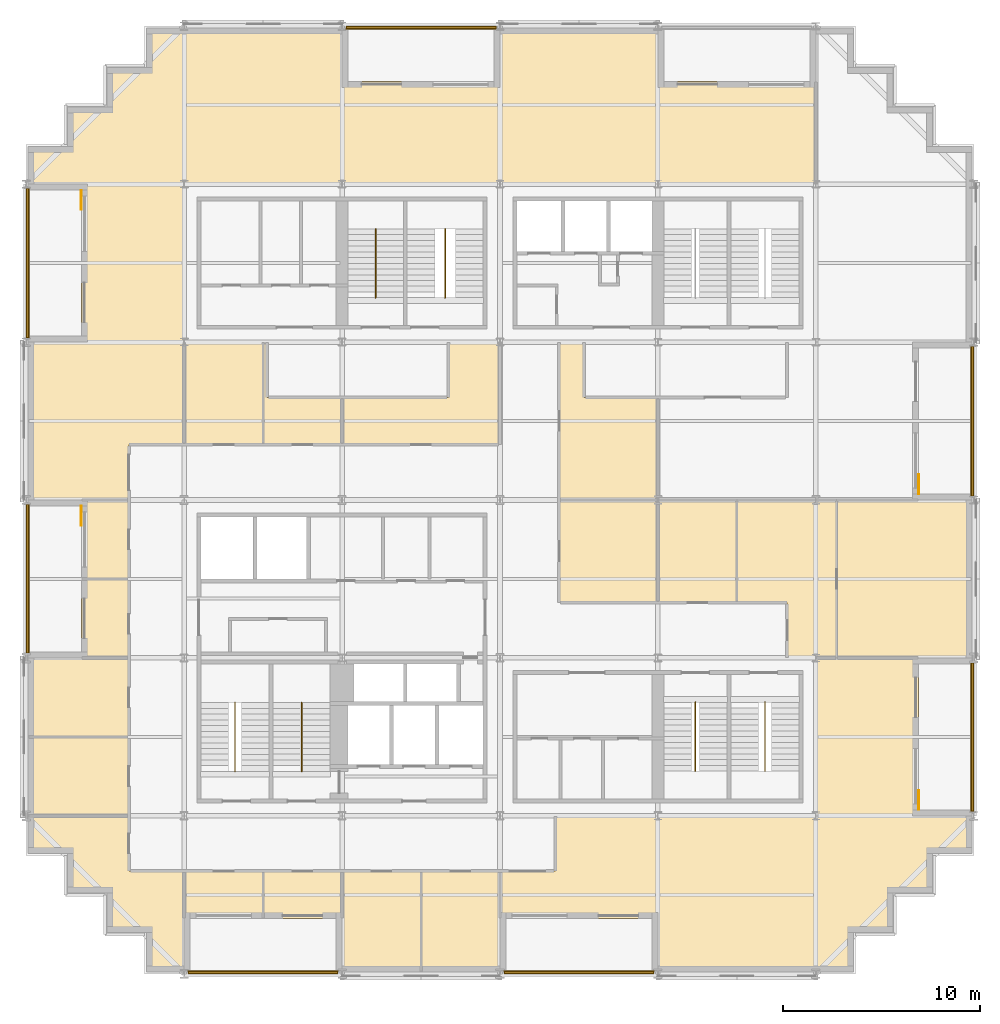
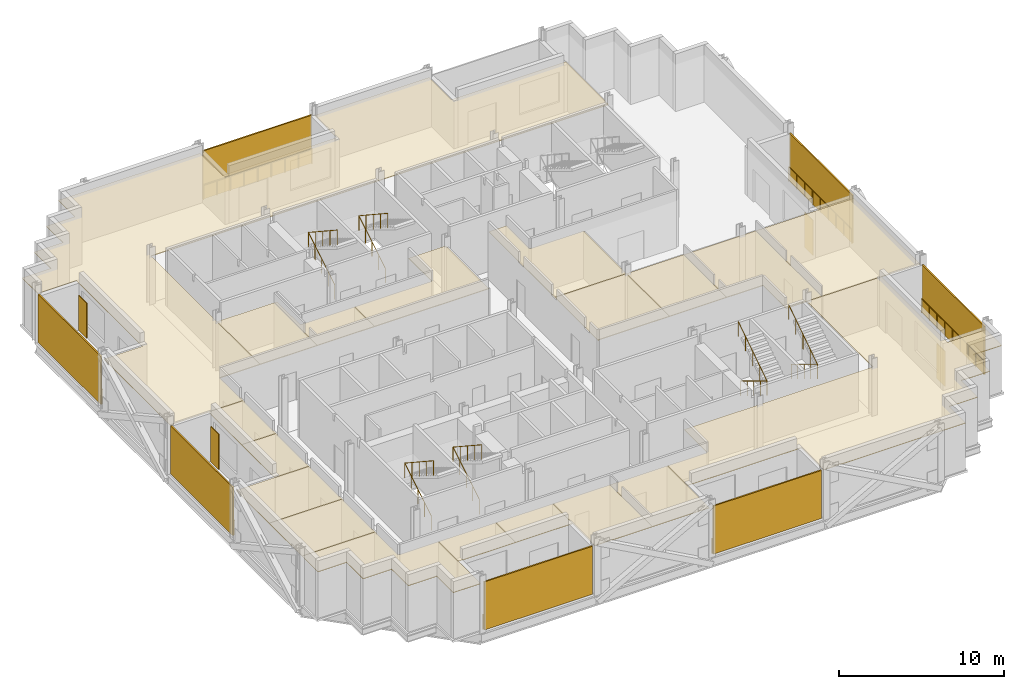
# One storey, part 12 of 13: 19 coverings, 13 railings, 11 shading devices.
"""IFC4 building model written with IfcOpenShell, lengths in metres."""

from ifc_helpers import new_model, si_unit, direction, frame, origin, origin_2d, place, context, subcontext, project, spatial, polyline, rectangle, circle, outline, extrude, material, layer, layer_set, type_object, element, save


model = new_model("IFC4")

# Units and contexts
model_context = context("Model", 3, precision=1e-05, world=origin(), true_north=direction((0.0, 1.0)))
body_context = subcontext(model_context, "Body", "Model", "MODEL_VIEW")
ifc_project = project(units=[si_unit("LENGTHUNIT", "METRE"), si_unit("AREAUNIT", "SQUARE_METRE"), si_unit("VOLUMEUNIT", "CUBIC_METRE"), si_unit("PLANEANGLEUNIT", "RADIAN"), si_unit("MASSUNIT", "GRAM", prefix="KILO")], contexts=[model_context])

# Site, building, storey
site_placement = place(None, origin())
site = spatial("IfcSite", under=ifc_project, at=site_placement, CompositionType="ELEMENT")
building_placement = place(site_placement, origin())
building = spatial("IfcBuilding", under=site, at=building_placement, Name="Immortelle Media Tower", CompositionType="ELEMENT")
storey_placement = place(building_placement, frame((0.0, 0.0, 74.39990234375)))
storey = spatial("IfcBuildingStorey", under=building, at=storey_placement, Name="L13", CompositionType="ELEMENT", Elevation=74.39990234375)

# Railings
ifc_material_1 = material(Name="Powder-coated aluminium fretwork panel, laminated glass backing", Category="aluminium")
railing_type_1 = type_object("IfcRailingType", Name="Fretwork balustrade 1100", PredefinedType="BALUSTRADE", material=ifc_material_1)
railing_1_placement = place(storey_placement, frame((0.139892578125, 39.800537109375, 0.0)))
element("IfcRailing", 1, at=railing_1_placement, inside=storey, type_object=railing_type_1, Name="Fretwork balustrade L13 W0", PredefinedType="BALUSTRADE", context=body_context, shape_type="SweptSolid", body=[
    extrude(circle(Radius=0.02490234375, at=origin_2d()), frame((0.0, 0.0, 1.0751953125), z_axis=(0.0, -1.0, 0.0), x_axis=(1.0, 0.0, 0.0)), (0.0, 0.0, 1.0), 7.58349609375),
    extrude(circle(Radius=0.02001953125, at=origin_2d()), origin(), (0.0, 0.0, 1.0), 1.050048828125),
    extrude(circle(Radius=0.02001953125, at=origin_2d()), frame((0.0, -0.947998046875, 0.0)), (0.0, 0.0, 1.0), 1.050048828125),
    extrude(circle(Radius=0.02001953125, at=origin_2d()), frame((0.0, -1.89599609375, 0.0)), (0.0, 0.0, 1.0), 1.050048828125),
    extrude(circle(Radius=0.02001953125, at=origin_2d()), frame((0.0, -2.84375, 0.0)), (0.0, 0.0, 1.0), 1.050048828125),
    extrude(circle(Radius=0.02001953125, at=origin_2d()), frame((0.0, -3.791748046875, 0.0)), (0.0, 0.0, 1.0), 1.050048828125),
    extrude(circle(Radius=0.02001953125, at=origin_2d()), frame((0.0, -4.73974609375, 0.0)), (0.0, 0.0, 1.0), 1.050048828125),
    extrude(circle(Radius=0.02001953125, at=origin_2d()), frame((0.0, -5.6875, 0.0)), (0.0, 0.0, 1.0), 1.050048828125),
    extrude(circle(Radius=0.02001953125, at=origin_2d()), frame((0.0, -6.635498046875, 0.0)), (0.0, 0.0, 1.0), 1.050048828125),
    extrude(circle(Radius=0.02001953125, at=origin_2d()), frame((0.0, -7.58349609375, 0.0)), (0.0, 0.0, 1.0), 1.050048828125),
])
railing_2_placement = place(storey_placement, frame((0.139892578125, 23.782958984375, 0.0)))
element("IfcRailing", 2, at=railing_2_placement, inside=storey, type_object=railing_type_1, Name="Fretwork balustrade L13 W2", PredefinedType="BALUSTRADE", context=body_context, shape_type="SweptSolid", body=[
    extrude(circle(Radius=0.02490234375, at=origin_2d()), frame((0.0, 0.0, 1.0751953125), z_axis=(0.0, -1.0, 0.0), x_axis=(1.0, 0.0, 0.0)), (0.0, 0.0, 1.0), 7.533935546875),
    extrude(circle(Radius=0.02001953125, at=origin_2d()), origin(), (0.0, 0.0, 1.0), 1.050048828125),
    extrude(circle(Radius=0.02001953125, at=origin_2d()), frame((0.0, -0.941650390625, 0.0)), (0.0, 0.0, 1.0), 1.050048828125),
    extrude(circle(Radius=0.02001953125, at=origin_2d()), frame((0.0, -1.883544921875, 0.0)), (0.0, 0.0, 1.0), 1.050048828125),
    extrude(circle(Radius=0.02001953125, at=origin_2d()), frame((0.0, -2.8251953125, 0.0)), (0.0, 0.0, 1.0), 1.050048828125),
    extrude(circle(Radius=0.02001953125, at=origin_2d()), frame((0.0, -3.76708984375, 0.0)), (0.0, 0.0, 1.0), 1.050048828125),
    extrude(circle(Radius=0.02001953125, at=origin_2d()), frame((0.0, -4.708740234375, 0.0)), (0.0, 0.0, 1.0), 1.050048828125),
    extrude(circle(Radius=0.02001953125, at=origin_2d()), frame((0.0, -5.650390625, 0.0)), (0.0, 0.0, 1.0), 1.050048828125),
    extrude(circle(Radius=0.02001953125, at=origin_2d()), frame((0.0, -6.59228515625, 0.0)), (0.0, 0.0, 1.0), 1.050048828125),
    extrude(circle(Radius=0.02001953125, at=origin_2d()), frame((0.0, -7.533935546875, 0.0)), (0.0, 0.0, 1.0), 1.050048828125),
])
railing_3_placement = place(storey_placement, frame((8.20947265625, 0.139892578125, 0.0)))
element("IfcRailing", 3, at=railing_3_placement, inside=storey, type_object=railing_type_1, Name="Fretwork balustrade L13 S0", PredefinedType="BALUSTRADE", context=body_context, shape_type="SweptSolid", body=[
    extrude(circle(Radius=0.02490234375, at=origin_2d()), frame((0.0, 0.0, 1.0751953125), z_axis=(1.0, 0.0, 0.0), x_axis=(0.0, 1.0, 0.0)), (0.0, 0.0, 1.0), 7.574462890625),
    extrude(circle(Radius=0.02001953125, at=origin_2d()), origin(), (0.0, 0.0, 1.0), 1.050048828125),
    extrude(circle(Radius=0.02001953125, at=origin_2d()), frame((0.94677734375, 0.0, 0.0)), (0.0, 0.0, 1.0), 1.050048828125),
    extrude(circle(Radius=0.02001953125, at=origin_2d()), frame((1.8935546875, 0.0, 0.0)), (0.0, 0.0, 1.0), 1.050048828125),
    extrude(circle(Radius=0.02001953125, at=origin_2d()), frame((2.84033203125, 0.0, 0.0)), (0.0, 0.0, 1.0), 1.050048828125),
    extrude(circle(Radius=0.02001953125, at=origin_2d()), frame((3.787109375, 0.0, 0.0)), (0.0, 0.0, 1.0), 1.050048828125),
    extrude(circle(Radius=0.02001953125, at=origin_2d()), frame((4.734130859375, 0.0, 0.0)), (0.0, 0.0, 1.0), 1.050048828125),
    extrude(circle(Radius=0.02001953125, at=origin_2d()), frame((5.680908203125, 0.0, 0.0)), (0.0, 0.0, 1.0), 1.050048828125),
    extrude(circle(Radius=0.02001953125, at=origin_2d()), frame((6.627685546875, 0.0, 0.0)), (0.0, 0.0, 1.0), 1.050048828125),
    extrude(circle(Radius=0.02001953125, at=origin_2d()), frame((7.574462890625, 0.0, 0.0)), (0.0, 0.0, 1.0), 1.050048828125),
])
railing_4_placement = place(storey_placement, frame((24.216064453125, 0.139892578125, 0.0)))
element("IfcRailing", 4, at=railing_4_placement, inside=storey, type_object=railing_type_1, Name="Fretwork balustrade L13 S2", PredefinedType="BALUSTRADE", context=body_context, shape_type="SweptSolid", body=[
    extrude(circle(Radius=0.02490234375, at=origin_2d()), frame((0.0, 0.0, 1.0751953125), z_axis=(1.0, 0.0, 0.0), x_axis=(0.0, 1.0, 0.0)), (0.0, 0.0, 1.0), 7.56787109375),
    extrude(circle(Radius=0.02001953125, at=origin_2d()), origin(), (0.0, 0.0, 1.0), 1.050048828125),
    extrude(circle(Radius=0.02001953125, at=origin_2d()), frame((0.946044921875, 0.0, 0.0)), (0.0, 0.0, 1.0), 1.050048828125),
    extrude(circle(Radius=0.02001953125, at=origin_2d()), frame((1.89208984375, 0.0, 0.0)), (0.0, 0.0, 1.0), 1.050048828125),
    extrude(circle(Radius=0.02001953125, at=origin_2d()), frame((2.837890625, 0.0, 0.0)), (0.0, 0.0, 1.0), 1.050048828125),
    extrude(circle(Radius=0.02001953125, at=origin_2d()), frame((3.783935546875, 0.0, 0.0)), (0.0, 0.0, 1.0), 1.050048828125),
    extrude(circle(Radius=0.02001953125, at=origin_2d()), frame((4.72998046875, 0.0, 0.0)), (0.0, 0.0, 1.0), 1.050048828125),
    extrude(circle(Radius=0.02001953125, at=origin_2d()), frame((5.67578125, 0.0, 0.0)), (0.0, 0.0, 1.0), 1.050048828125),
    extrude(circle(Radius=0.02001953125, at=origin_2d()), frame((6.621826171875, 0.0, 0.0)), (0.0, 0.0, 1.0), 1.050048828125),
    extrude(circle(Radius=0.02001953125, at=origin_2d()), frame((7.56787109375, 0.0, 0.0)), (0.0, 0.0, 1.0), 1.050048828125),
])
railing_5_placement = place(storey_placement, frame((47.860107421875, 8.2275390625, 0.0)))
element("IfcRailing", 5, at=railing_5_placement, inside=storey, type_object=railing_type_1, Name="Fretwork balustrade L13 E0", PredefinedType="BALUSTRADE", context=body_context, shape_type="SweptSolid", body=[
    extrude(circle(Radius=0.02490234375, at=origin_2d()), frame((0.0, 0.0, 1.0751953125), z_axis=(0.0, 1.0, 0.0), x_axis=(-1.0, 0.0, 0.0)), (0.0, 0.0, 1.0), 7.5234375),
    extrude(circle(Radius=0.02001953125, at=origin_2d()), origin(), (0.0, 0.0, 1.0), 1.050048828125),
    extrude(circle(Radius=0.02001953125, at=origin_2d()), frame((0.0, 0.9404296875, 0.0)), (0.0, 0.0, 1.0), 1.050048828125),
    extrude(circle(Radius=0.02001953125, at=origin_2d()), frame((0.0, 1.880859375, 0.0)), (0.0, 0.0, 1.0), 1.050048828125),
    extrude(circle(Radius=0.02001953125, at=origin_2d()), frame((0.0, 2.8212890625, 0.0)), (0.0, 0.0, 1.0), 1.050048828125),
    extrude(circle(Radius=0.02001953125, at=origin_2d()), frame((0.0, 3.76171875, 0.0)), (0.0, 0.0, 1.0), 1.050048828125),
    extrude(circle(Radius=0.02001953125, at=origin_2d()), frame((0.0, 4.7021484375, 0.0)), (0.0, 0.0, 1.0), 1.050048828125),
    extrude(circle(Radius=0.02001953125, at=origin_2d()), frame((0.0, 5.642578125, 0.0)), (0.0, 0.0, 1.0), 1.050048828125),
    extrude(circle(Radius=0.02001953125, at=origin_2d()), frame((0.0, 6.5830078125, 0.0)), (0.0, 0.0, 1.0), 1.050048828125),
    extrude(circle(Radius=0.02001953125, at=origin_2d()), frame((0.0, 7.5234375, 0.0)), (0.0, 0.0, 1.0), 1.050048828125),
])
railing_6_placement = place(storey_placement, frame((47.860107421875, 24.199462890625, 0.0)))
element("IfcRailing", 6, at=railing_6_placement, inside=storey, type_object=railing_type_1, Name="Fretwork balustrade L13 E2", PredefinedType="BALUSTRADE", context=body_context, shape_type="SweptSolid", body=[
    extrude(circle(Radius=0.02490234375, at=origin_2d()), frame((0.0, 0.0, 1.0751953125), z_axis=(0.0, 1.0, 0.0), x_axis=(-1.0, 0.0, 0.0)), (0.0, 0.0, 1.0), 7.60107421875),
    extrude(circle(Radius=0.02001953125, at=origin_2d()), origin(), (0.0, 0.0, 1.0), 1.050048828125),
    extrude(circle(Radius=0.02001953125, at=origin_2d()), frame((0.0, 0.9501953125, 0.0)), (0.0, 0.0, 1.0), 1.050048828125),
    extrude(circle(Radius=0.02001953125, at=origin_2d()), frame((0.0, 1.900390625, 0.0)), (0.0, 0.0, 1.0), 1.050048828125),
    extrude(circle(Radius=0.02001953125, at=origin_2d()), frame((0.0, 2.850341796875, 0.0)), (0.0, 0.0, 1.0), 1.050048828125),
    extrude(circle(Radius=0.02001953125, at=origin_2d()), frame((0.0, 3.800537109375, 0.0)), (0.0, 0.0, 1.0), 1.050048828125),
    extrude(circle(Radius=0.02001953125, at=origin_2d()), frame((0.0, 4.750732421875, 0.0)), (0.0, 0.0, 1.0), 1.050048828125),
    extrude(circle(Radius=0.02001953125, at=origin_2d()), frame((0.0, 5.70068359375, 0.0)), (0.0, 0.0, 1.0), 1.050048828125),
    extrude(circle(Radius=0.02001953125, at=origin_2d()), frame((0.0, 6.65087890625, 0.0)), (0.0, 0.0, 1.0), 1.050048828125),
    extrude(circle(Radius=0.02001953125, at=origin_2d()), frame((0.0, 7.60107421875, 0.0)), (0.0, 0.0, 1.0), 1.050048828125),
])
railing_7_placement = place(storey_placement, frame((23.799560546875, 47.860107421875, 0.0)))
element("IfcRailing", 7, at=railing_7_placement, inside=storey, type_object=railing_type_1, Name="Fretwork balustrade L13 N2", PredefinedType="BALUSTRADE", context=body_context, shape_type="SweptSolid", body=[
    extrude(circle(Radius=0.02490234375, at=origin_2d()), frame((0.0, 0.0, 1.0751953125), z_axis=(-1.0, 0.0, 0.0), x_axis=(0.0, -1.0, 0.0)), (0.0, 0.0, 1.0), 7.593994140625),
    extrude(circle(Radius=0.02001953125, at=origin_2d()), origin(), (0.0, 0.0, 1.0), 1.050048828125),
    extrude(circle(Radius=0.02001953125, at=origin_2d()), frame((-0.94921875, 0.0, 0.0)), (0.0, 0.0, 1.0), 1.050048828125),
    extrude(circle(Radius=0.02001953125, at=origin_2d()), frame((-1.8984375, 0.0, 0.0)), (0.0, 0.0, 1.0), 1.050048828125),
    extrude(circle(Radius=0.02001953125, at=origin_2d()), frame((-2.84765625, 0.0, 0.0)), (0.0, 0.0, 1.0), 1.050048828125),
    extrude(circle(Radius=0.02001953125, at=origin_2d()), frame((-3.796875, 0.0, 0.0)), (0.0, 0.0, 1.0), 1.050048828125),
    extrude(circle(Radius=0.02001953125, at=origin_2d()), frame((-4.746337890625, 0.0, 0.0)), (0.0, 0.0, 1.0), 1.050048828125),
    extrude(circle(Radius=0.02001953125, at=origin_2d()), frame((-5.695556640625, 0.0, 0.0)), (0.0, 0.0, 1.0), 1.050048828125),
    extrude(circle(Radius=0.02001953125, at=origin_2d()), frame((-6.644775390625, 0.0, 0.0)), (0.0, 0.0, 1.0), 1.050048828125),
    extrude(circle(Radius=0.02001953125, at=origin_2d()), frame((-7.593994140625, 0.0, 0.0)), (0.0, 0.0, 1.0), 1.050048828125),
])

# Shading devices
ifc_material_2 = material(Name="Pale aluminium louvre blades", Category="aluminium")
ifc_layer_1 = layer(ifc_material_2, 0.10009765625)
ifc_layer_set_1 = layer_set([ifc_layer_1], Name="Pale aluminium louvre blades")
shading_device_type_1 = type_object("IfcShadingDeviceType", Name="Jalousie screen 100", PredefinedType="JALOUSIE", material=ifc_layer_set_1)
shading_device_1_placement = place(storey_placement, frame((0.050048828125, 36.0087890625, 0.0), z_axis=(0.0, 0.0, 1.0), x_axis=(0.0, -1.0, 0.0)))
element("IfcShadingDevice", 8, at=shading_device_1_placement, inside=storey, type_object=shading_device_type_1, Name="Jalousie screen L13 W0", PredefinedType="JALOUSIE", context=body_context, shape_type="SweptSolid", body=[
    extrude(rectangle(XDim=7.58349609375, YDim=0.10009765625, at=origin_2d()), origin(), (0.0, 0.0, 1.0), 3.556884765625),
])
shading_device_2_placement = place(storey_placement, frame((0.050048828125, 20.01611328125, 0.0), z_axis=(0.0, 0.0, 1.0), x_axis=(0.0, -1.0, 0.0)))
element("IfcShadingDevice", 9, at=shading_device_2_placement, inside=storey, type_object=shading_device_type_1, Name="Jalousie screen L13 W2", PredefinedType="JALOUSIE", context=body_context, shape_type="SweptSolid", body=[
    extrude(rectangle(XDim=7.533935546875, YDim=0.10009765625, at=origin_2d()), origin(), (0.0, 0.0, 1.0), 3.556884765625),
])
shading_device_3_placement = place(storey_placement, frame((11.996826171875, 0.050048828125, 0.0), z_axis=(0.0, 0.0, 1.0), x_axis=(1.0, 0.0, 0.0)))
element("IfcShadingDevice", 10, at=shading_device_3_placement, inside=storey, type_object=shading_device_type_1, Name="Jalousie screen L13 S0", PredefinedType="JALOUSIE", context=body_context, shape_type="SweptSolid", body=[
    extrude(rectangle(XDim=7.574462890625, YDim=0.10009765625, at=origin_2d()), origin(), (0.0, 0.0, 1.0), 3.556884765625),
])
shading_device_4_placement = place(storey_placement, frame((28.0, 0.050048828125, 0.0), z_axis=(0.0, 0.0, 1.0), x_axis=(1.0, 0.0, 0.0)))
element("IfcShadingDevice", 11, at=shading_device_4_placement, inside=storey, type_object=shading_device_type_1, Name="Jalousie screen L13 S2", PredefinedType="JALOUSIE", context=body_context, shape_type="SweptSolid", body=[
    extrude(rectangle(XDim=7.568115234375, YDim=0.10009765625, at=origin_2d()), origin(), (0.0, 0.0, 1.0), 3.556884765625),
])
shading_device_5_placement = place(storey_placement, frame((47.949951171875, 11.9892578125, 0.0), z_axis=(0.0, 0.0, 1.0), x_axis=(0.0, 1.0, 0.0)))
element("IfcShadingDevice", 12, at=shading_device_5_placement, inside=storey, type_object=shading_device_type_1, Name="Jalousie screen L13 E0", PredefinedType="JALOUSIE", context=body_context, shape_type="SweptSolid", body=[
    extrude(rectangle(XDim=7.5234375, YDim=0.10009765625, at=origin_2d()), origin(), (0.0, 0.0, 1.0), 3.556884765625),
])
shading_device_6_placement = place(storey_placement, frame((47.949951171875, 28.0, 0.0), z_axis=(0.0, 0.0, 1.0), x_axis=(0.0, 1.0, 0.0)))
element("IfcShadingDevice", 13, at=shading_device_6_placement, inside=storey, type_object=shading_device_type_1, Name="Jalousie screen L13 E2", PredefinedType="JALOUSIE", context=body_context, shape_type="SweptSolid", body=[
    extrude(rectangle(XDim=7.60107421875, YDim=0.10009765625, at=origin_2d()), origin(), (0.0, 0.0, 1.0), 3.556884765625),
])
shading_device_7_placement = place(storey_placement, frame((20.00244140625, 47.949951171875, 0.0), z_axis=(0.0, 0.0, 1.0), x_axis=(-1.0, 0.0, 0.0)))
element("IfcShadingDevice", 14, at=shading_device_7_placement, inside=storey, type_object=shading_device_type_1, Name="Jalousie screen L13 N2", PredefinedType="JALOUSIE", context=body_context, shape_type="SweptSolid", body=[
    extrude(rectangle(XDim=7.593994140625, YDim=0.10009765625, at=origin_2d()), origin(), (0.0, 0.0, 1.0), 3.556884765625),
])
ifc_material_3 = material(Name="Pale aluminium louvre blades in a folding frame", Category="aluminium")
ifc_layer_2 = layer(ifc_material_3, 0.050048828125)
ifc_layer_set_2 = layer_set([ifc_layer_2], Name="Pale aluminium louvre blades in a folding frame")
shading_device_type_2 = type_object("IfcShadingDeviceType", Name="Louvred loggia shutter", PredefinedType="SHUTTER", material=ifc_layer_set_2)
for number, where, z_axis, x_axis, name in (
    (15, (2.77490234375, 39.199951171875, 0.0), (0.0, 0.0, 1.0), (0.0, -1.0, 0.0), "Loggia shutter L13 W0"),
    (16, (2.77490234375, 23.199951171875, 0.0), (0.0, 0.0, 1.0), (0.0, -1.0, 0.0), "Loggia shutter L13 W2"),
    (17, (45.22509765625, 8.800048828125, 0.0), (0.0, 0.0, 1.0), (0.0, 1.0, 0.0), "Loggia shutter L13 E0"),
    (18, (45.22509765625, 24.800048828125, 0.0), (0.0, 0.0, 1.0), (0.0, 1.0, 0.0), "Loggia shutter L13 E2"),
):
    element("IfcShadingDevice", number, at=place(storey_placement, frame(where, z_axis=z_axis, x_axis=x_axis)), inside=storey, type_object=shading_device_type_2, Name=name, PredefinedType="SHUTTER", context=body_context, shape_type="SweptSolid", body=[
        extrude(rectangle(XDim=1.0, YDim=0.050048828125, at=origin_2d()), origin(), (0.0, 0.0, 1.0), 2.60009765625),
    ])

# Railings
ifc_material_4 = material(Name="Stainless steel AISI 316", Category="steel")
railing_type_2 = type_object("IfcRailingType", Name="Stair guard 1100", PredefinedType="GUARDRAIL", material=ifc_material_4)
for number, where, name in (
    (19, (10.574951171875, 10.5400390625, 0.176025390625), "Stair guard SW1"),
    (20, (13.949951171875, 10.5400390625, 0.176025390625), "Stair guard SW2"),
):
    element("IfcRailing", number, at=place(storey_placement, frame(where)), inside=storey, type_object=railing_type_2, Name=name, PredefinedType="GUARDRAIL", context=body_context, shape_type="SweptSolid", body=[
        extrude(circle(Radius=0.02392578125, at=origin_2d()), frame((0.0, 0.0, 1.076171875), z_axis=(0.0, 0.854872504309, 0.518838126371), x_axis=(-1.0, 0.0, 0.0)), (0.0, 0.0, 1.0), 3.7314453125),
        extrude(circle(Radius=0.02392578125, at=origin_2d()), frame((0.0, 3.18994140625, 3.01220703125), z_axis=(0.0, -0.835568629342, 0.549386080693), x_axis=(1.0, 0.0, 0.0)), (0.0, 0.0, 1.0), 4.164794921875),
        extrude(circle(Radius=0.02099609375, at=origin_2d()), origin(), (0.0, 0.0, 1.0), 1.052001953125),
        extrude(circle(Radius=0.02099609375, at=origin_2d()), frame((0.0, 0.79736328125, 0.48388671875)), (0.0, 0.0, 1.0), 1.052001953125),
        extrude(circle(Radius=0.02099609375, at=origin_2d()), frame((0.0, 1.594970703125, 0.968017578125)), (0.0, 0.0, 1.0), 1.052001953125),
        extrude(circle(Radius=0.02099609375, at=origin_2d()), frame((0.0, 2.392578125, 1.4521484375)), (0.0, 0.0, 1.0), 1.052001953125),
        extrude(circle(Radius=0.02099609375, at=origin_2d()), frame((0.0, 3.18994140625, 1.93603515625)), (0.0, 0.0, 1.0), 1.052001953125),
        extrude(circle(Radius=0.02099609375, at=origin_2d()), frame((0.0, 2.31982421875, 2.508056640625)), (0.0, 0.0, 1.0), 1.052001953125),
        extrude(circle(Radius=0.02099609375, at=origin_2d()), frame((0.0, 1.449951171875, 3.080078125)), (0.0, 0.0, 1.0), 1.052001953125),
        extrude(circle(Radius=0.02099609375, at=origin_2d()), frame((0.0, 0.580078125, 3.652099609375)), (0.0, 0.0, 1.0), 1.052001953125),
        extrude(circle(Radius=0.02099609375, at=origin_2d()), frame((0.0, -0.2900390625, 4.22412109375)), (0.0, 0.0, 1.0), 1.052001953125),
    ])
for number, where, name in (
    (21, (33.89990234375, 13.4599609375, 0.176025390625), "Stair guard SE1"),
    (22, (37.425048828125, 13.4599609375, 0.176025390625), "Stair guard SE2"),
):
    element("IfcRailing", number, at=place(storey_placement, frame(where)), inside=storey, type_object=railing_type_2, Name=name, PredefinedType="GUARDRAIL", context=body_context, shape_type="SweptSolid", body=[
        extrude(circle(Radius=0.02392578125, at=origin_2d()), frame((0.0, 0.0, 1.076171875), z_axis=(0.0, -0.854872504309, 0.518838126371), x_axis=(1.0, 0.0, 0.0)), (0.0, 0.0, 1.0), 3.7314453125),
        extrude(circle(Radius=0.02392578125, at=origin_2d()), frame((0.0, -3.18994140625, 3.01220703125), z_axis=(0.0, 0.835568629342, 0.549386080693), x_axis=(-1.0, 0.0, 0.0)), (0.0, 0.0, 1.0), 4.164794921875),
        extrude(circle(Radius=0.02099609375, at=origin_2d()), origin(), (0.0, 0.0, 1.0), 1.052001953125),
        extrude(circle(Radius=0.02099609375, at=origin_2d()), frame((0.0, -0.79736328125, 0.48388671875)), (0.0, 0.0, 1.0), 1.052001953125),
        extrude(circle(Radius=0.02099609375, at=origin_2d()), frame((0.0, -1.594970703125, 0.968017578125)), (0.0, 0.0, 1.0), 1.052001953125),
        extrude(circle(Radius=0.02099609375, at=origin_2d()), frame((0.0, -2.392578125, 1.4521484375)), (0.0, 0.0, 1.0), 1.052001953125),
        extrude(circle(Radius=0.02099609375, at=origin_2d()), frame((0.0, -3.18994140625, 1.93603515625)), (0.0, 0.0, 1.0), 1.052001953125),
        extrude(circle(Radius=0.02099609375, at=origin_2d()), frame((0.0, -2.31982421875, 2.508056640625)), (0.0, 0.0, 1.0), 1.052001953125),
        extrude(circle(Radius=0.02099609375, at=origin_2d()), frame((0.0, -1.449951171875, 3.080078125)), (0.0, 0.0, 1.0), 1.052001953125),
        extrude(circle(Radius=0.02099609375, at=origin_2d()), frame((0.0, -0.580078125, 3.652099609375)), (0.0, 0.0, 1.0), 1.052001953125),
        extrude(circle(Radius=0.02099609375, at=origin_2d()), frame((0.0, 0.2900390625, 4.22412109375)), (0.0, 0.0, 1.0), 1.052001953125),
    ])
for number, where, name in (
    (23, (17.699951171875, 34.5400390625, 0.176025390625), "Stair guard NW1"),
    (24, (21.22509765625, 34.5400390625, 0.176025390625), "Stair guard NW2"),
):
    element("IfcRailing", number, at=place(storey_placement, frame(where)), inside=storey, type_object=railing_type_2, Name=name, PredefinedType="GUARDRAIL", context=body_context, shape_type="SweptSolid", body=[
        extrude(circle(Radius=0.02392578125, at=origin_2d()), frame((0.0, 0.0, 1.076171875), z_axis=(0.0, 0.854872504309, 0.518838126371), x_axis=(-1.0, 0.0, 0.0)), (0.0, 0.0, 1.0), 3.7314453125),
        extrude(circle(Radius=0.02392578125, at=origin_2d()), frame((0.0, 3.18994140625, 3.01220703125), z_axis=(0.0, -0.835568629342, 0.549386080693), x_axis=(1.0, 0.0, 0.0)), (0.0, 0.0, 1.0), 4.164794921875),
        extrude(circle(Radius=0.02099609375, at=origin_2d()), origin(), (0.0, 0.0, 1.0), 1.052001953125),
        extrude(circle(Radius=0.02099609375, at=origin_2d()), frame((0.0, 0.79736328125, 0.48388671875)), (0.0, 0.0, 1.0), 1.052001953125),
        extrude(circle(Radius=0.02099609375, at=origin_2d()), frame((0.0, 1.594970703125, 0.968017578125)), (0.0, 0.0, 1.0), 1.052001953125),
        extrude(circle(Radius=0.02099609375, at=origin_2d()), frame((0.0, 2.392578125, 1.4521484375)), (0.0, 0.0, 1.0), 1.052001953125),
        extrude(circle(Radius=0.02099609375, at=origin_2d()), frame((0.0, 3.18994140625, 1.93603515625)), (0.0, 0.0, 1.0), 1.052001953125),
        extrude(circle(Radius=0.02099609375, at=origin_2d()), frame((0.0, 2.31982421875, 2.508056640625)), (0.0, 0.0, 1.0), 1.052001953125),
        extrude(circle(Radius=0.02099609375, at=origin_2d()), frame((0.0, 1.449951171875, 3.080078125)), (0.0, 0.0, 1.0), 1.052001953125),
        extrude(circle(Radius=0.02099609375, at=origin_2d()), frame((0.0, 0.580078125, 3.652099609375)), (0.0, 0.0, 1.0), 1.052001953125),
        extrude(circle(Radius=0.02099609375, at=origin_2d()), frame((0.0, -0.2900390625, 4.22412109375)), (0.0, 0.0, 1.0), 1.052001953125),
    ])

# Coverings
ifc_material_5 = material(Name="Mineral fibre tile ceiling")
ifc_layer_3 = layer(ifc_material_5, 0.050048828125)
ifc_layer_set_3 = layer_set([ifc_layer_3], Name="Mineral fibre tile ceiling")
covering_type = type_object("IfcCoveringType", Name="Suspended ceiling 50", PredefinedType="CEILING", material=ifc_layer_set_3)
covering_1_placement = place(storey_placement, frame((0.0, 0.0, 3.420166015625)))
element("IfcCovering", 25, at=covering_1_placement, inside=storey, type_object=covering_type, Name="Ceiling L13-001", PredefinedType="CEILING", context=body_context, shape_type="SweptSolid", body=[
    extrude(outline(polyline([(16.0, 2.800048828125), (16.0, 5.199951171875), (20.0, 5.199951171875), (20.0, 0.10009765625), (16.0, 0.10009765625), (16.0, 2.800048828125)])), origin(), (0.0, 0.0, 1.0), 0.050048828125),
])
covering_2_placement = place(storey_placement, frame((0.0, 0.0, 3.420166015625)))
element("IfcCovering", 26, at=covering_2_placement, inside=storey, type_object=covering_type, Name="Ceiling L13-002", PredefinedType="CEILING", context=body_context, shape_type="SweptSolid", body=[
    extrude(outline(polyline([(24.0, 5.199951171875), (24.0, 2.800048828125), (24.0, 0.10009765625), (20.0, 0.10009765625), (20.0, 5.199951171875), (24.0, 5.199951171875)])), origin(), (0.0, 0.0, 1.0), 0.050048828125),
])
covering_3_placement = place(storey_placement, frame((0.0, 0.0, 3.420166015625)))
element("IfcCovering", 27, at=covering_3_placement, inside=storey, type_object=covering_type, Name="Ceiling L13-003", PredefinedType="CEILING", context=body_context, shape_type="SweptSolid", body=[
    extrude(outline(polyline([(8.0, 5.199951171875), (12.0, 5.199951171875), (12.0, 2.800048828125), (8.0, 2.800048828125), (8.0, 5.199951171875)])), origin(), (0.0, 0.0, 1.0), 0.050048828125),
])
covering_4_placement = place(storey_placement, frame((0.0, 0.0, 3.420166015625)))
element("IfcCovering", 28, at=covering_4_placement, inside=storey, type_object=covering_type, Name="Ceiling L13-004", PredefinedType="CEILING", context=body_context, shape_type="SweptSolid", body=[
    extrude(outline(polyline([(16.0, 5.199951171875), (16.0, 2.800048828125), (12.0, 2.800048828125), (12.0, 5.199951171875), (16.0, 5.199951171875)])), origin(), (0.0, 0.0, 1.0), 0.050048828125),
])
covering_5_placement = place(storey_placement, frame((0.0, 0.0, 3.420166015625)))
element("IfcCovering", 29, at=covering_5_placement, inside=storey, type_object=covering_type, Name="Ceiling L13-005", PredefinedType="CEILING", context=body_context, shape_type="SweptSolid", body=[
    extrude(outline(polyline([(6.10009765625, 0.10009765625), (6.10009765625, 2.10009765625), (4.10009765625, 2.10009765625), (4.10009765625, 4.10009765625), (2.10009765625, 4.10009765625), (2.10009765625, 6.10009765625), (0.10009765625, 6.10009765625), (0.10009765625, 8.0), (5.199951171875, 8.0), (5.199951171875, 5.199951171875), (8.0, 5.199951171875), (8.0, 2.800048828125), (8.0, 0.10009765625), (6.10009765625, 0.10009765625)])), origin(), (0.0, 0.0, 1.0), 0.050048828125),
])
covering_6_placement = place(storey_placement, frame((0.0, 0.0, 3.420166015625)))
element("IfcCovering", 30, at=covering_6_placement, inside=storey, type_object=covering_type, Name="Ceiling L13-006", PredefinedType="CEILING", context=body_context, shape_type="SweptSolid", body=[
    extrude(outline(polyline([(24.0, 5.199951171875), (26.800048828125, 5.199951171875), (26.800048828125, 8.0), (32.0, 8.0), (40.0, 8.0), (40.0, 16.0), (45.199951171875, 16.0), (45.199951171875, 8.0), (47.89990234375, 8.0), (47.89990234375, 6.10009765625), (45.89990234375, 6.10009765625), (45.89990234375, 4.10009765625), (43.89990234375, 4.10009765625), (43.89990234375, 2.10009765625), (41.89990234375, 2.10009765625), (41.89990234375, 0.10009765625), (40.0, 0.10009765625), (32.0, 0.10009765625), (32.0, 2.800048828125), (24.0, 2.800048828125), (24.0, 5.199951171875)])), origin(), (0.0, 0.0, 1.0), 0.050048828125),
])
covering_7_placement = place(storey_placement, frame((0.0, 0.0, 3.420166015625)))
element("IfcCovering", 31, at=covering_7_placement, inside=storey, type_object=covering_type, Name="Ceiling L13-007", PredefinedType="CEILING", context=body_context, shape_type="SweptSolid", body=[
    extrude(outline(polyline([(0.10009765625, 8.0), (0.10009765625, 12.0), (5.199951171875, 12.0), (5.199951171875, 8.0), (0.10009765625, 8.0)])), origin(), (0.0, 0.0, 1.0), 0.050048828125),
])
covering_8_placement = place(storey_placement, frame((0.0, 0.0, 3.420166015625)))
element("IfcCovering", 32, at=covering_8_placement, inside=storey, type_object=covering_type, Name="Ceiling L13-008", PredefinedType="CEILING", context=body_context, shape_type="SweptSolid", body=[
    extrude(outline(polyline([(0.10009765625, 16.0), (2.800048828125, 16.0), (5.199951171875, 16.0), (5.199951171875, 12.0), (0.10009765625, 12.0), (0.10009765625, 16.0)])), origin(), (0.0, 0.0, 1.0), 0.050048828125),
])
covering_9_placement = place(storey_placement, frame((0.0, 0.0, 3.420166015625)))
element("IfcCovering", 33, at=covering_9_placement, inside=storey, type_object=covering_type, Name="Ceiling L13-009", PredefinedType="CEILING", context=body_context, shape_type="SweptSolid", body=[
    extrude(outline(polyline([(5.199951171875, 16.0), (2.800048828125, 16.0), (2.800048828125, 20.0), (5.199951171875, 20.0), (5.199951171875, 19.449951171875), (5.199951171875, 16.0)])), origin(), (0.0, 0.0, 1.0), 0.050048828125),
])
covering_10_placement = place(storey_placement, frame((0.0, 0.0, 3.420166015625)))
element("IfcCovering", 34, at=covering_10_placement, inside=storey, type_object=covering_type, Name="Ceiling L13-010", PredefinedType="CEILING", context=body_context, shape_type="SweptSolid", body=[
    extrude(outline(polyline([(2.800048828125, 24.0), (5.199951171875, 24.0), (5.199951171875, 20.0), (2.800048828125, 20.0), (2.800048828125, 24.0)])), origin(), (0.0, 0.0, 1.0), 0.050048828125),
])
covering_11_placement = place(storey_placement, frame((0.0, 0.0, 3.420166015625)))
element("IfcCovering", 35, at=covering_11_placement, inside=storey, type_object=covering_type, Name="Ceiling L13-011", PredefinedType="CEILING", context=body_context, shape_type="SweptSolid", body=[
    extrude(outline(polyline([(32.0, 18.800048828125), (32.0, 24.0), (36.0, 24.0), (36.0, 18.800048828125), (32.0, 18.800048828125)])), origin(), (0.0, 0.0, 1.0), 0.050048828125),
])
covering_12_placement = place(storey_placement, frame((0.0, 0.0, 3.420166015625)))
element("IfcCovering", 36, at=covering_12_placement, inside=storey, type_object=covering_type, Name="Ceiling L13-012", PredefinedType="CEILING", context=body_context, shape_type="SweptSolid", body=[
    extrude(outline(polyline([(36.0, 18.800048828125), (36.0, 24.0), (40.0, 24.0), (41.050048828125, 24.0), (41.050048828125, 16.0), (40.0, 16.0), (38.550048828125, 16.0), (38.550048828125, 18.800048828125), (36.0, 18.800048828125)])), origin(), (0.0, 0.0, 1.0), 0.050048828125),
])
covering_13_placement = place(storey_placement, frame((0.0, 0.0, 3.420166015625)))
element("IfcCovering", 37, at=covering_13_placement, inside=storey, type_object=covering_type, Name="Ceiling L13-013", PredefinedType="CEILING", context=body_context, shape_type="SweptSolid", body=[
    extrude(outline(polyline([(45.199951171875, 24.0), (47.89990234375, 24.0), (47.89990234375, 16.0), (45.199951171875, 16.0), (41.050048828125, 16.0), (41.050048828125, 24.0), (45.199951171875, 24.0)])), origin(), (0.0, 0.0, 1.0), 0.050048828125),
])
covering_14_placement = place(storey_placement, frame((0.0, 0.0, 3.420166015625)))
element("IfcCovering", 38, at=covering_14_placement, inside=storey, type_object=covering_type, Name="Ceiling L13-014", PredefinedType="CEILING", context=body_context, shape_type="SweptSolid", body=[
    extrude(outline(polyline([(32.0, 18.800048828125), (27.0, 18.800048828125), (27.0, 24.0), (32.0, 24.0), (32.0, 18.800048828125)])), origin(), (0.0, 0.0, 1.0), 0.050048828125),
])
covering_15_placement = place(storey_placement, frame((0.0, 0.0, 3.420166015625)))
element("IfcCovering", 39, at=covering_15_placement, inside=storey, type_object=covering_type, Name="Ceiling L13-015", PredefinedType="CEILING", context=body_context, shape_type="SweptSolid", body=[
    extrude(outline(polyline([(27.0, 24.0), (27.0, 32.0), (28.25, 32.0), (28.25, 29.199951171875), (32.0, 29.199951171875), (32.0, 24.0), (27.0, 24.0)])), origin(), (0.0, 0.0, 1.0), 0.050048828125),
])
covering_16_placement = place(storey_placement, frame((0.0, 0.0, 3.420166015625)))
element("IfcCovering", 40, at=covering_16_placement, inside=storey, type_object=covering_type, Name="Ceiling L13-016", PredefinedType="CEILING", context=body_context, shape_type="SweptSolid", body=[
    extrude(outline(polyline([(16.0, 26.800048828125), (16.0, 29.199951171875), (21.39990234375, 29.199951171875), (21.39990234375, 32.0), (24.0, 32.0), (24.0, 26.800048828125), (16.0, 26.800048828125)])), origin(), (0.0, 0.0, 1.0), 0.050048828125),
])
covering_17_placement = place(storey_placement, frame((0.0, 0.0, 3.420166015625)))
element("IfcCovering", 41, at=covering_17_placement, inside=storey, type_object=covering_type, Name="Ceiling L13-017", PredefinedType="CEILING", context=body_context, shape_type="SweptSolid", body=[
    extrude(outline(polyline([(8.0, 32.0), (12.0, 32.0), (12.0, 26.800048828125), (8.0, 26.800048828125), (8.0, 32.0)])), origin(), (0.0, 0.0, 1.0), 0.050048828125),
])
covering_18_placement = place(storey_placement, frame((0.0, 0.0, 3.420166015625)))
element("IfcCovering", 42, at=covering_18_placement, inside=storey, type_object=covering_type, Name="Ceiling L13-018", PredefinedType="CEILING", context=body_context, shape_type="SweptSolid", body=[
    extrude(outline(polyline([(12.199951171875, 32.0), (12.199951171875, 29.199951171875), (16.0, 29.199951171875), (16.0, 26.800048828125), (12.0, 26.800048828125), (12.0, 32.0), (12.199951171875, 32.0)])), origin(), (0.0, 0.0, 1.0), 0.050048828125),
])
covering_19_placement = place(storey_placement, frame((0.0, 0.0, 3.420166015625)))
element("IfcCovering", 43, at=covering_19_placement, inside=storey, type_object=covering_type, Name="Ceiling L13-020", PredefinedType="CEILING", context=body_context, shape_type="SweptSolid", body=[
    extrude(outline(polyline([(2.800048828125, 40.0), (0.10009765625, 40.0), (0.10009765625, 41.89990234375), (2.10009765625, 41.89990234375), (2.10009765625, 43.89990234375), (4.10009765625, 43.89990234375), (4.10009765625, 45.89990234375), (6.10009765625, 45.89990234375), (6.10009765625, 47.89990234375), (8.0, 47.89990234375), (16.0, 47.89990234375), (16.0, 45.199951171875), (24.0, 45.199951171875), (24.0, 47.89990234375), (32.0, 47.89990234375), (32.0, 45.199951171875), (40.0, 45.199951171875), (40.0, 40.0), (32.0, 40.0), (24.0, 40.0), (16.0, 40.0), (8.0, 40.0), (8.0, 32.0), (8.0, 26.800048828125), (5.199951171875, 26.800048828125), (5.199951171875, 24.0), (2.800048828125, 24.0), (0.10009765625, 24.0), (0.10009765625, 32.0), (2.800048828125, 32.0), (2.800048828125, 40.0)])), origin(), (0.0, 0.0, 1.0), 0.050048828125),
])

save(model, "model.ifc")
